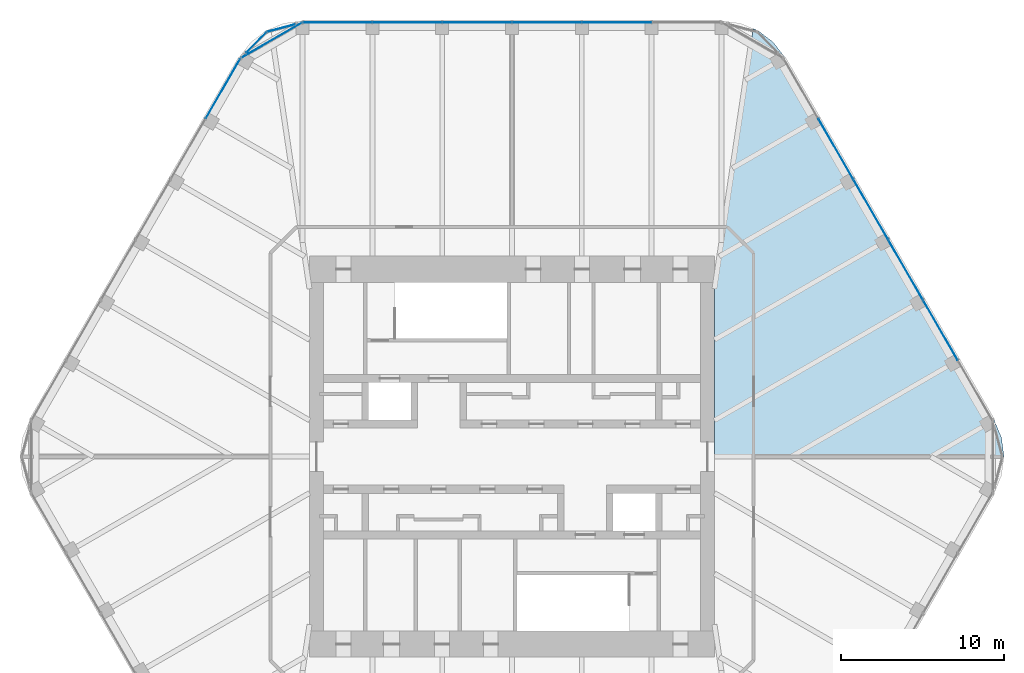
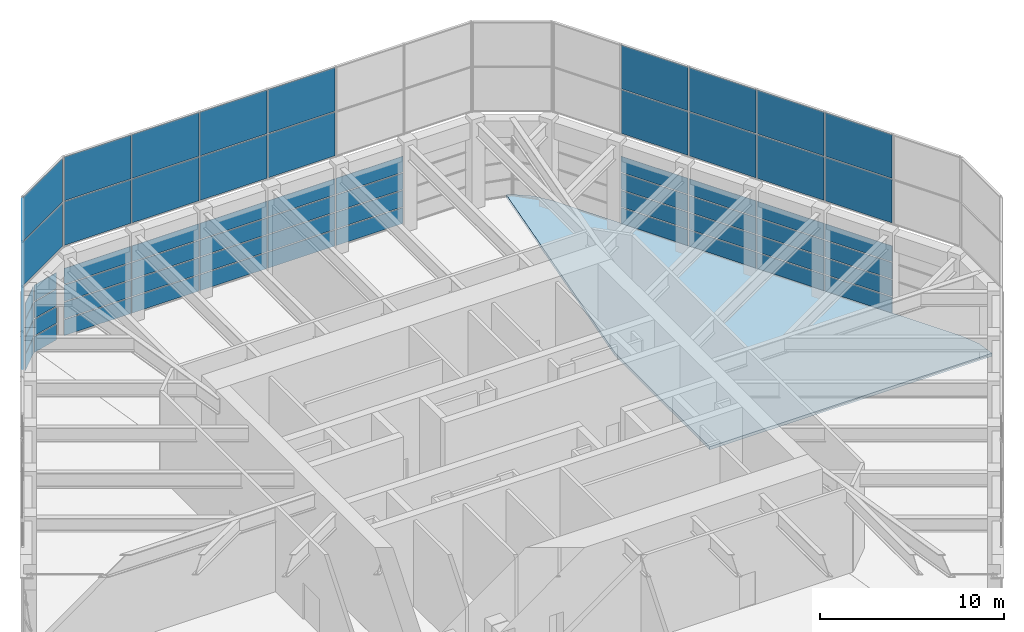
# One storey, part 13 of 17: 65 plates, 1 slab, 9 elements without a shape of their own.
"""IFC4 building model written with IfcOpenShell, lengths in metres."""

from ifc_helpers import new_model, si_unit, direction, frame, origin, origin_2d, place, context, subcontext, project, spatial, polyline, rectangle, outline, extrude, material, layer, layer_set, type_object, element, aggregate, save


model = new_model("IFC4")

# Units and contexts
model_context = context("Model", 3, precision=1e-05, world=origin(), true_north=direction((0.0, 1.0)))
body_context = subcontext(model_context, "Body", "Model", "MODEL_VIEW")
ifc_project = project(units=[si_unit("LENGTHUNIT", "METRE"), si_unit("AREAUNIT", "SQUARE_METRE"), si_unit("VOLUMEUNIT", "CUBIC_METRE"), si_unit("PLANEANGLEUNIT", "RADIAN"), si_unit("MASSUNIT", "GRAM", prefix="KILO")], contexts=[model_context])

# Site, building, storey
site_placement = place(None, origin())
site = spatial("IfcSite", under=ifc_project, at=site_placement, CompositionType="ELEMENT")
building_placement = place(site_placement, origin())
building = spatial("IfcBuilding", under=site, at=building_placement, Name="Tarfa Lantern Tower", CompositionType="ELEMENT")
storey_placement = place(building_placement, frame((0.0, 0.0, 402.300048828125)))
storey = spatial("IfcBuildingStorey", under=building, at=storey_placement, Name="L91", CompositionType="ELEMENT", Elevation=402.300048828125)

# Curtain wall, plates
ifc_material_1 = material(Name="Aluminium framed curtain wall", Category="aluminium")
curtain_wall_type_1 = type_object("IfcCurtainWallType", Name="CW8 LANTERN GLAZING 4600", PredefinedType="USERDEFINED", material=ifc_material_1)
curtain_wall_1_placement = place(storey_placement, origin())
curtain_wall_1 = element("IfcCurtainWall", 1, at=curtain_wall_1_placement, inside=storey, type_object=curtain_wall_type_1, Name="CW8 NNW1 L91", ObjectType="CURTAIN WALL", PredefinedType="USERDEFINED")
ifc_material_2 = material(Name="Laminated double glazing", Category="glass")
ifc_layer_1 = layer(ifc_material_2, 0.028076171875)
ifc_layer_set_1 = layer_set([ifc_layer_1], Name="CWP1 DOUBLE GLAZED PANEL")
plate_type = type_object("IfcPlateType", Name="CWP1 DOUBLE GLAZED PANEL", PredefinedType="CURTAIN_PANEL", material=ifc_layer_set_1)
plate_1_placement = place(storey_placement, frame((-14.158935546875, 26.298095703125, 0.06494140625), z_axis=(0.0, 0.0, 1.0), x_axis=(-0.965925850804, -0.258818953611, 0.0)))
plate_1 = element("IfcPlate", 2, at=plate_1_placement, type_object=plate_type, Name="CW8 panel 1.1", PredefinedType="CURTAIN_PANEL", context=body_context, shape_type="SweptSolid", body=[
    extrude(rectangle(XDim=1.706787109375, YDim=0.028076171875, at=origin_2d()), origin(), (0.0, 0.0, 1.0), 1.052490234375),
])
plate_2_placement = place(storey_placement, frame((-14.158935546875, 26.298095703125, 1.182373046875), z_axis=(0.0, 0.0, 1.0), x_axis=(-0.965925850804, -0.258818953611, 0.0)))
plate_2 = element("IfcPlate", 3, at=plate_2_placement, type_object=plate_type, Name="CW8 panel 1.2", PredefinedType="CURTAIN_PANEL", context=body_context, shape_type="SweptSolid", body=[
    extrude(rectangle(XDim=1.706787109375, YDim=0.028076171875, at=origin_2d()), origin(), (0.0, 0.0, 1.0), 1.0849609375),
])
plate_3_placement = place(storey_placement, frame((-14.158935546875, 26.298095703125, 2.33251953125), z_axis=(0.0, 0.0, 1.0), x_axis=(-0.965925850804, -0.258818953611, 0.0)))
plate_3 = element("IfcPlate", 4, at=plate_3_placement, type_object=plate_type, Name="CW8 panel 1.3", PredefinedType="CURTAIN_PANEL", context=body_context, shape_type="SweptSolid", body=[
    extrude(rectangle(XDim=1.706787109375, YDim=0.028076171875, at=origin_2d()), origin(), (0.0, 0.0, 1.0), 1.0849609375),
])
plate_4_placement = place(storey_placement, frame((-14.158935546875, 26.298095703125, 3.482421875), z_axis=(0.0, 0.0, 1.0), x_axis=(-0.965925850804, -0.258818953611, 0.0)))
plate_4 = element("IfcPlate", 5, at=plate_4_placement, type_object=plate_type, Name="CW8 panel 1.4", PredefinedType="CURTAIN_PANEL", context=body_context, shape_type="SweptSolid", body=[
    extrude(rectangle(XDim=1.706787109375, YDim=0.028076171875, at=origin_2d()), origin(), (0.0, 0.0, 1.0), 1.052490234375),
])
aggregate(curtain_wall_1, [plate_1, plate_2, plate_3, plate_4])

curtain_wall_2_placement = place(storey_placement, origin())
curtain_wall_2 = element("IfcCurtainWall", 6, at=curtain_wall_2_placement, inside=storey, type_object=curtain_wall_type_1, Name="CW8 NNW2 L91", ObjectType="CURTAIN WALL", PredefinedType="USERDEFINED")
plate_5_placement = place(storey_placement, frame((-15.6953125, 25.4111328125, 0.06494140625), z_axis=(0.0, 0.0, 1.0), x_axis=(-0.707106781187, -0.707106781187, 0.0)))
plate_5 = element("IfcPlate", 7, at=plate_5_placement, type_object=plate_type, Name="CW8 panel 1.1", PredefinedType="CURTAIN_PANEL", context=body_context, shape_type="SweptSolid", body=[
    extrude(rectangle(XDim=1.706787109375, YDim=0.028076171875, at=origin_2d()), origin(), (0.0, 0.0, 1.0), 1.052490234375),
])
plate_6_placement = place(storey_placement, frame((-15.6953125, 25.4111328125, 1.182373046875), z_axis=(0.0, 0.0, 1.0), x_axis=(-0.707106781187, -0.707106781187, 0.0)))
plate_6 = element("IfcPlate", 8, at=plate_6_placement, type_object=plate_type, Name="CW8 panel 1.2", PredefinedType="CURTAIN_PANEL", context=body_context, shape_type="SweptSolid", body=[
    extrude(rectangle(XDim=1.706787109375, YDim=0.028076171875, at=origin_2d()), origin(), (0.0, 0.0, 1.0), 1.0849609375),
])
plate_7_placement = place(storey_placement, frame((-15.6953125, 25.4111328125, 2.33251953125), z_axis=(0.0, 0.0, 1.0), x_axis=(-0.707106781187, -0.707106781187, 0.0)))
plate_7 = element("IfcPlate", 9, at=plate_7_placement, type_object=plate_type, Name="CW8 panel 1.3", PredefinedType="CURTAIN_PANEL", context=body_context, shape_type="SweptSolid", body=[
    extrude(rectangle(XDim=1.706787109375, YDim=0.028076171875, at=origin_2d()), origin(), (0.0, 0.0, 1.0), 1.0849609375),
])
plate_8_placement = place(storey_placement, frame((-15.6953125, 25.4111328125, 3.482421875), z_axis=(0.0, 0.0, 1.0), x_axis=(-0.707106781187, -0.707106781187, 0.0)))
plate_8 = element("IfcPlate", 10, at=plate_8_placement, type_object=plate_type, Name="CW8 panel 1.4", PredefinedType="CURTAIN_PANEL", context=body_context, shape_type="SweptSolid", body=[
    extrude(rectangle(XDim=1.706787109375, YDim=0.028076171875, at=origin_2d()), origin(), (0.0, 0.0, 1.0), 1.052490234375),
])
aggregate(curtain_wall_2, [plate_5, plate_6, plate_7, plate_8])

curtain_wall_3_placement = place(storey_placement, origin())
curtain_wall_3 = element("IfcCurtainWall", 11, at=curtain_wall_3_placement, inside=storey, type_object=curtain_wall_type_1, Name="CW8 NE L91", ObjectType="CURTAIN WALL", PredefinedType="USERDEFINED")
plate_9_placement = place(storey_placement, frame((26.291015625, 7.762451171875, 0.06494140625), z_axis=(0.0, 0.0, 1.0), x_axis=(-0.5, 0.866025403784, 0.0)))
plate_9 = element("IfcPlate", 12, at=plate_9_placement, type_object=plate_type, Name="CW8 panel 2.1", PredefinedType="CURTAIN_PANEL", context=body_context, shape_type="SweptSolid", body=[
    extrude(rectangle(XDim=4.217041015625, YDim=0.028076171875, at=origin_2d()), origin(), (0.0, 0.0, 1.0), 1.052490234375),
])
plate_10_placement = place(storey_placement, frame((26.291015625, 7.762451171875, 1.182373046875), z_axis=(0.0, 0.0, 1.0), x_axis=(-0.5, 0.866025403784, 0.0)))
plate_10 = element("IfcPlate", 13, at=plate_10_placement, type_object=plate_type, Name="CW8 panel 2.2", PredefinedType="CURTAIN_PANEL", context=body_context, shape_type="SweptSolid", body=[
    extrude(rectangle(XDim=4.217041015625, YDim=0.028076171875, at=origin_2d()), origin(), (0.0, 0.0, 1.0), 1.0849609375),
])
plate_11_placement = place(storey_placement, frame((26.291015625, 7.762451171875, 2.33251953125), z_axis=(0.0, 0.0, 1.0), x_axis=(-0.5, 0.866025403784, 0.0)))
plate_11 = element("IfcPlate", 14, at=plate_11_placement, type_object=plate_type, Name="CW8 panel 2.3", PredefinedType="CURTAIN_PANEL", context=body_context, shape_type="SweptSolid", body=[
    extrude(rectangle(XDim=4.217041015625, YDim=0.028076171875, at=origin_2d()), origin(), (0.0, 0.0, 1.0), 1.0849609375),
])
plate_12_placement = place(storey_placement, frame((26.291015625, 7.762451171875, 3.482421875), z_axis=(0.0, 0.0, 1.0), x_axis=(-0.5, 0.866025403784, 0.0)))
plate_12 = element("IfcPlate", 15, at=plate_12_placement, type_object=plate_type, Name="CW8 panel 2.4", PredefinedType="CURTAIN_PANEL", context=body_context, shape_type="SweptSolid", body=[
    extrude(rectangle(XDim=4.217041015625, YDim=0.028076171875, at=origin_2d()), origin(), (0.0, 0.0, 1.0), 1.052490234375),
])
plate_13_placement = place(storey_placement, frame((24.150146484375, 11.470947265625, 0.06494140625), z_axis=(0.0, 0.0, 1.0), x_axis=(-0.5, 0.866025403784, 0.0)))
plate_13 = element("IfcPlate", 16, at=plate_13_placement, type_object=plate_type, Name="CW8 panel 3.1", PredefinedType="CURTAIN_PANEL", context=body_context, shape_type="SweptSolid", body=[
    extrude(rectangle(XDim=4.217041015625, YDim=0.028076171875, at=origin_2d()), origin(), (0.0, 0.0, 1.0), 1.052490234375),
])
plate_14_placement = place(storey_placement, frame((24.150146484375, 11.470947265625, 1.182373046875), z_axis=(0.0, 0.0, 1.0), x_axis=(-0.5, 0.866025403784, 0.0)))
plate_14 = element("IfcPlate", 17, at=plate_14_placement, type_object=plate_type, Name="CW8 panel 3.2", PredefinedType="CURTAIN_PANEL", context=body_context, shape_type="SweptSolid", body=[
    extrude(rectangle(XDim=4.217041015625, YDim=0.028076171875, at=origin_2d()), origin(), (0.0, 0.0, 1.0), 1.0849609375),
])
plate_15_placement = place(storey_placement, frame((24.150146484375, 11.470947265625, 2.33251953125), z_axis=(0.0, 0.0, 1.0), x_axis=(-0.5, 0.866025403784, 0.0)))
plate_15 = element("IfcPlate", 18, at=plate_15_placement, type_object=plate_type, Name="CW8 panel 3.3", PredefinedType="CURTAIN_PANEL", context=body_context, shape_type="SweptSolid", body=[
    extrude(rectangle(XDim=4.217041015625, YDim=0.028076171875, at=origin_2d()), origin(), (0.0, 0.0, 1.0), 1.0849609375),
])
plate_16_placement = place(storey_placement, frame((24.150146484375, 11.470947265625, 3.482421875), z_axis=(0.0, 0.0, 1.0), x_axis=(-0.5, 0.866025403784, 0.0)))
plate_16 = element("IfcPlate", 19, at=plate_16_placement, type_object=plate_type, Name="CW8 panel 3.4", PredefinedType="CURTAIN_PANEL", context=body_context, shape_type="SweptSolid", body=[
    extrude(rectangle(XDim=4.217041015625, YDim=0.028076171875, at=origin_2d()), origin(), (0.0, 0.0, 1.0), 1.052490234375),
])
plate_17_placement = place(storey_placement, frame((22.009033203125, 15.17919921875, 0.06494140625), z_axis=(0.0, 0.0, 1.0), x_axis=(-0.5, 0.866025403784, 0.0)))
plate_17 = element("IfcPlate", 20, at=plate_17_placement, type_object=plate_type, Name="CW8 panel 4.1", PredefinedType="CURTAIN_PANEL", context=body_context, shape_type="SweptSolid", body=[
    extrude(rectangle(XDim=4.217041015625, YDim=0.028076171875, at=origin_2d()), origin(), (0.0, 0.0, 1.0), 1.052490234375),
])
plate_18_placement = place(storey_placement, frame((22.009033203125, 15.17919921875, 1.182373046875), z_axis=(0.0, 0.0, 1.0), x_axis=(-0.5, 0.866025403784, 0.0)))
plate_18 = element("IfcPlate", 21, at=plate_18_placement, type_object=plate_type, Name="CW8 panel 4.2", PredefinedType="CURTAIN_PANEL", context=body_context, shape_type="SweptSolid", body=[
    extrude(rectangle(XDim=4.217041015625, YDim=0.028076171875, at=origin_2d()), origin(), (0.0, 0.0, 1.0), 1.0849609375),
])
plate_19_placement = place(storey_placement, frame((22.009033203125, 15.17919921875, 2.33251953125), z_axis=(0.0, 0.0, 1.0), x_axis=(-0.5, 0.866025403784, 0.0)))
plate_19 = element("IfcPlate", 22, at=plate_19_placement, type_object=plate_type, Name="CW8 panel 4.3", PredefinedType="CURTAIN_PANEL", context=body_context, shape_type="SweptSolid", body=[
    extrude(rectangle(XDim=4.217041015625, YDim=0.028076171875, at=origin_2d()), origin(), (0.0, 0.0, 1.0), 1.0849609375),
])
plate_20_placement = place(storey_placement, frame((22.009033203125, 15.17919921875, 3.482421875), z_axis=(0.0, 0.0, 1.0), x_axis=(-0.5, 0.866025403784, 0.0)))
plate_20 = element("IfcPlate", 23, at=plate_20_placement, type_object=plate_type, Name="CW8 panel 4.4", PredefinedType="CURTAIN_PANEL", context=body_context, shape_type="SweptSolid", body=[
    extrude(rectangle(XDim=4.217041015625, YDim=0.028076171875, at=origin_2d()), origin(), (0.0, 0.0, 1.0), 1.052490234375),
])
plate_21_placement = place(storey_placement, frame((19.8681640625, 18.887451171875, 0.06494140625), z_axis=(0.0, 0.0, 1.0), x_axis=(-0.5, 0.866025403784, 0.0)))
plate_21 = element("IfcPlate", 24, at=plate_21_placement, type_object=plate_type, Name="CW8 panel 5.1", PredefinedType="CURTAIN_PANEL", context=body_context, shape_type="SweptSolid", body=[
    extrude(rectangle(XDim=4.217041015625, YDim=0.028076171875, at=origin_2d()), origin(), (0.0, 0.0, 1.0), 1.052490234375),
])
plate_22_placement = place(storey_placement, frame((19.8681640625, 18.887451171875, 1.182373046875), z_axis=(0.0, 0.0, 1.0), x_axis=(-0.5, 0.866025403784, 0.0)))
plate_22 = element("IfcPlate", 25, at=plate_22_placement, type_object=plate_type, Name="CW8 panel 5.2", PredefinedType="CURTAIN_PANEL", context=body_context, shape_type="SweptSolid", body=[
    extrude(rectangle(XDim=4.217041015625, YDim=0.028076171875, at=origin_2d()), origin(), (0.0, 0.0, 1.0), 1.0849609375),
])
plate_23_placement = place(storey_placement, frame((19.8681640625, 18.887451171875, 2.33251953125), z_axis=(0.0, 0.0, 1.0), x_axis=(-0.5, 0.866025403784, 0.0)))
plate_23 = element("IfcPlate", 26, at=plate_23_placement, type_object=plate_type, Name="CW8 panel 5.3", PredefinedType="CURTAIN_PANEL", context=body_context, shape_type="SweptSolid", body=[
    extrude(rectangle(XDim=4.217041015625, YDim=0.028076171875, at=origin_2d()), origin(), (0.0, 0.0, 1.0), 1.0849609375),
])
plate_24_placement = place(storey_placement, frame((19.8681640625, 18.887451171875, 3.482421875), z_axis=(0.0, 0.0, 1.0), x_axis=(-0.5, 0.866025403784, 0.0)))
plate_24 = element("IfcPlate", 27, at=plate_24_placement, type_object=plate_type, Name="CW8 panel 5.4", PredefinedType="CURTAIN_PANEL", context=body_context, shape_type="SweptSolid", body=[
    extrude(rectangle(XDim=4.217041015625, YDim=0.028076171875, at=origin_2d()), origin(), (0.0, 0.0, 1.0), 1.052490234375),
])
aggregate(curtain_wall_3, [plate_9, plate_10, plate_11, plate_12, plate_13, plate_14, plate_15, plate_16, plate_17, plate_18, plate_19, plate_20, plate_21, plate_22, plate_23, plate_24])

curtain_wall_4_placement = place(storey_placement, origin())
curtain_wall_4 = element("IfcCurtainWall", 28, at=curtain_wall_4_placement, inside=storey, type_object=curtain_wall_type_1, Name="CW8 N L91", ObjectType="CURTAIN WALL", PredefinedType="USERDEFINED")
plate_25_placement = place(storey_placement, frame((6.423095703125, 26.64990234375, 0.06494140625), z_axis=(0.0, 0.0, 1.0), x_axis=(-1.0, 0.0, 0.0)))
plate_25 = element("IfcPlate", 29, at=plate_25_placement, type_object=plate_type, Name="CW8 panel 2.1", PredefinedType="CURTAIN_PANEL", context=body_context, shape_type="SweptSolid", body=[
    extrude(rectangle(XDim=4.217041015625, YDim=0.028076171875, at=origin_2d()), origin(), (0.0, 0.0, 1.0), 1.052490234375),
])
plate_26_placement = place(storey_placement, frame((6.423095703125, 26.64990234375, 1.182373046875), z_axis=(0.0, 0.0, 1.0), x_axis=(-1.0, 0.0, 0.0)))
plate_26 = element("IfcPlate", 30, at=plate_26_placement, type_object=plate_type, Name="CW8 panel 2.2", PredefinedType="CURTAIN_PANEL", context=body_context, shape_type="SweptSolid", body=[
    extrude(rectangle(XDim=4.217041015625, YDim=0.028076171875, at=origin_2d()), origin(), (0.0, 0.0, 1.0), 1.0849609375),
])
plate_27_placement = place(storey_placement, frame((6.423095703125, 26.64990234375, 2.33251953125), z_axis=(0.0, 0.0, 1.0), x_axis=(-1.0, 0.0, 0.0)))
plate_27 = element("IfcPlate", 31, at=plate_27_placement, type_object=plate_type, Name="CW8 panel 2.3", PredefinedType="CURTAIN_PANEL", context=body_context, shape_type="SweptSolid", body=[
    extrude(rectangle(XDim=4.217041015625, YDim=0.028076171875, at=origin_2d()), origin(), (0.0, 0.0, 1.0), 1.0849609375),
])
plate_28_placement = place(storey_placement, frame((6.423095703125, 26.64990234375, 3.482421875), z_axis=(0.0, 0.0, 1.0), x_axis=(-1.0, 0.0, 0.0)))
plate_28 = element("IfcPlate", 32, at=plate_28_placement, type_object=plate_type, Name="CW8 panel 2.4", PredefinedType="CURTAIN_PANEL", context=body_context, shape_type="SweptSolid", body=[
    extrude(rectangle(XDim=4.217041015625, YDim=0.028076171875, at=origin_2d()), origin(), (0.0, 0.0, 1.0), 1.052490234375),
])
plate_29_placement = place(storey_placement, frame((2.14111328125, 26.64990234375, 0.06494140625), z_axis=(0.0, 0.0, 1.0), x_axis=(-1.0, 0.0, 0.0)))
plate_29 = element("IfcPlate", 33, at=plate_29_placement, type_object=plate_type, Name="CW8 panel 3.1", PredefinedType="CURTAIN_PANEL", context=body_context, shape_type="SweptSolid", body=[
    extrude(rectangle(XDim=4.217041015625, YDim=0.028076171875, at=origin_2d()), origin(), (0.0, 0.0, 1.0), 1.052490234375),
])
plate_30_placement = place(storey_placement, frame((2.14111328125, 26.64990234375, 1.182373046875), z_axis=(0.0, 0.0, 1.0), x_axis=(-1.0, 0.0, 0.0)))
plate_30 = element("IfcPlate", 34, at=plate_30_placement, type_object=plate_type, Name="CW8 panel 3.2", PredefinedType="CURTAIN_PANEL", context=body_context, shape_type="SweptSolid", body=[
    extrude(rectangle(XDim=4.217041015625, YDim=0.028076171875, at=origin_2d()), origin(), (0.0, 0.0, 1.0), 1.0849609375),
])
plate_31_placement = place(storey_placement, frame((2.14111328125, 26.64990234375, 2.33251953125), z_axis=(0.0, 0.0, 1.0), x_axis=(-1.0, 0.0, 0.0)))
plate_31 = element("IfcPlate", 35, at=plate_31_placement, type_object=plate_type, Name="CW8 panel 3.3", PredefinedType="CURTAIN_PANEL", context=body_context, shape_type="SweptSolid", body=[
    extrude(rectangle(XDim=4.217041015625, YDim=0.028076171875, at=origin_2d()), origin(), (0.0, 0.0, 1.0), 1.0849609375),
])
plate_32_placement = place(storey_placement, frame((2.14111328125, 26.64990234375, 3.482421875), z_axis=(0.0, 0.0, 1.0), x_axis=(-1.0, 0.0, 0.0)))
plate_32 = element("IfcPlate", 36, at=plate_32_placement, type_object=plate_type, Name="CW8 panel 3.4", PredefinedType="CURTAIN_PANEL", context=body_context, shape_type="SweptSolid", body=[
    extrude(rectangle(XDim=4.217041015625, YDim=0.028076171875, at=origin_2d()), origin(), (0.0, 0.0, 1.0), 1.052490234375),
])
plate_33_placement = place(storey_placement, frame((-2.14111328125, 26.64990234375, 0.06494140625), z_axis=(0.0, 0.0, 1.0), x_axis=(-1.0, 0.0, 0.0)))
plate_33 = element("IfcPlate", 37, at=plate_33_placement, type_object=plate_type, Name="CW8 panel 4.1", PredefinedType="CURTAIN_PANEL", context=body_context, shape_type="SweptSolid", body=[
    extrude(rectangle(XDim=4.217041015625, YDim=0.028076171875, at=origin_2d()), origin(), (0.0, 0.0, 1.0), 1.052490234375),
])
plate_34_placement = place(storey_placement, frame((-2.14111328125, 26.64990234375, 1.182373046875), z_axis=(0.0, 0.0, 1.0), x_axis=(-1.0, 0.0, 0.0)))
plate_34 = element("IfcPlate", 38, at=plate_34_placement, type_object=plate_type, Name="CW8 panel 4.2", PredefinedType="CURTAIN_PANEL", context=body_context, shape_type="SweptSolid", body=[
    extrude(rectangle(XDim=4.217041015625, YDim=0.028076171875, at=origin_2d()), origin(), (0.0, 0.0, 1.0), 1.0849609375),
])
plate_35_placement = place(storey_placement, frame((-2.14111328125, 26.64990234375, 2.33251953125), z_axis=(0.0, 0.0, 1.0), x_axis=(-1.0, 0.0, 0.0)))
plate_35 = element("IfcPlate", 39, at=plate_35_placement, type_object=plate_type, Name="CW8 panel 4.3", PredefinedType="CURTAIN_PANEL", context=body_context, shape_type="SweptSolid", body=[
    extrude(rectangle(XDim=4.217041015625, YDim=0.028076171875, at=origin_2d()), origin(), (0.0, 0.0, 1.0), 1.0849609375),
])
plate_36_placement = place(storey_placement, frame((-2.14111328125, 26.64990234375, 3.482421875), z_axis=(0.0, 0.0, 1.0), x_axis=(-1.0, 0.0, 0.0)))
plate_36 = element("IfcPlate", 40, at=plate_36_placement, type_object=plate_type, Name="CW8 panel 4.4", PredefinedType="CURTAIN_PANEL", context=body_context, shape_type="SweptSolid", body=[
    extrude(rectangle(XDim=4.217041015625, YDim=0.028076171875, at=origin_2d()), origin(), (0.0, 0.0, 1.0), 1.052490234375),
])
plate_37_placement = place(storey_placement, frame((-6.423095703125, 26.64990234375, 0.06494140625), z_axis=(0.0, 0.0, 1.0), x_axis=(-1.0, 0.0, 0.0)))
plate_37 = element("IfcPlate", 41, at=plate_37_placement, type_object=plate_type, Name="CW8 panel 5.1", PredefinedType="CURTAIN_PANEL", context=body_context, shape_type="SweptSolid", body=[
    extrude(rectangle(XDim=4.217041015625, YDim=0.028076171875, at=origin_2d()), origin(), (0.0, 0.0, 1.0), 1.052490234375),
])
plate_38_placement = place(storey_placement, frame((-6.423095703125, 26.64990234375, 1.182373046875), z_axis=(0.0, 0.0, 1.0), x_axis=(-1.0, 0.0, 0.0)))
plate_38 = element("IfcPlate", 42, at=plate_38_placement, type_object=plate_type, Name="CW8 panel 5.2", PredefinedType="CURTAIN_PANEL", context=body_context, shape_type="SweptSolid", body=[
    extrude(rectangle(XDim=4.217041015625, YDim=0.028076171875, at=origin_2d()), origin(), (0.0, 0.0, 1.0), 1.0849609375),
])
plate_39_placement = place(storey_placement, frame((-6.423095703125, 26.64990234375, 2.33251953125), z_axis=(0.0, 0.0, 1.0), x_axis=(-1.0, 0.0, 0.0)))
plate_39 = element("IfcPlate", 43, at=plate_39_placement, type_object=plate_type, Name="CW8 panel 5.3", PredefinedType="CURTAIN_PANEL", context=body_context, shape_type="SweptSolid", body=[
    extrude(rectangle(XDim=4.217041015625, YDim=0.028076171875, at=origin_2d()), origin(), (0.0, 0.0, 1.0), 1.0849609375),
])
plate_40_placement = place(storey_placement, frame((-6.423095703125, 26.64990234375, 3.482421875), z_axis=(0.0, 0.0, 1.0), x_axis=(-1.0, 0.0, 0.0)))
plate_40 = element("IfcPlate", 44, at=plate_40_placement, type_object=plate_type, Name="CW8 panel 5.4", PredefinedType="CURTAIN_PANEL", context=body_context, shape_type="SweptSolid", body=[
    extrude(rectangle(XDim=4.217041015625, YDim=0.028076171875, at=origin_2d()), origin(), (0.0, 0.0, 1.0), 1.052490234375),
])
plate_41_placement = place(storey_placement, frame((-10.688720703125, 26.64990234375, 0.06494140625), z_axis=(0.0, 0.0, 1.0), x_axis=(-1.0, 0.0, 0.0)))
plate_41 = element("IfcPlate", 45, at=plate_41_placement, type_object=plate_type, Name="CW8 panel 6.1", PredefinedType="CURTAIN_PANEL", context=body_context, shape_type="SweptSolid", body=[
    extrude(rectangle(XDim=4.1845703125, YDim=0.028076171875, at=origin_2d()), origin(), (0.0, 0.0, 1.0), 1.052490234375),
])
plate_42_placement = place(storey_placement, frame((-10.688720703125, 26.64990234375, 1.182373046875), z_axis=(0.0, 0.0, 1.0), x_axis=(-1.0, 0.0, 0.0)))
plate_42 = element("IfcPlate", 46, at=plate_42_placement, type_object=plate_type, Name="CW8 panel 6.2", PredefinedType="CURTAIN_PANEL", context=body_context, shape_type="SweptSolid", body=[
    extrude(rectangle(XDim=4.1845703125, YDim=0.028076171875, at=origin_2d()), origin(), (0.0, 0.0, 1.0), 1.0849609375),
])
plate_43_placement = place(storey_placement, frame((-10.688720703125, 26.64990234375, 2.33251953125), z_axis=(0.0, 0.0, 1.0), x_axis=(-1.0, 0.0, 0.0)))
plate_43 = element("IfcPlate", 47, at=plate_43_placement, type_object=plate_type, Name="CW8 panel 6.3", PredefinedType="CURTAIN_PANEL", context=body_context, shape_type="SweptSolid", body=[
    extrude(rectangle(XDim=4.1845703125, YDim=0.028076171875, at=origin_2d()), origin(), (0.0, 0.0, 1.0), 1.0849609375),
])
plate_44_placement = place(storey_placement, frame((-10.688720703125, 26.64990234375, 3.482421875), z_axis=(0.0, 0.0, 1.0), x_axis=(-1.0, 0.0, 0.0)))
plate_44 = element("IfcPlate", 48, at=plate_44_placement, type_object=plate_type, Name="CW8 panel 6.4", PredefinedType="CURTAIN_PANEL", context=body_context, shape_type="SweptSolid", body=[
    extrude(rectangle(XDim=4.1845703125, YDim=0.028076171875, at=origin_2d()), origin(), (0.0, 0.0, 1.0), 1.052490234375),
])
aggregate(curtain_wall_4, [plate_25, plate_26, plate_27, plate_28, plate_29, plate_30, plate_31, plate_32, plate_33, plate_34, plate_35, plate_36, plate_37, plate_38, plate_39, plate_40, plate_41, plate_42, plate_43, plate_44])

# Curtain wall, plate
curtain_wall_5_placement = place(storey_placement, origin())
curtain_wall_5 = element("IfcCurtainWall", 49, at=curtain_wall_5_placement, inside=storey, type_object=curtain_wall_type_1, Name="CW8 NW L91", ObjectType="CURTAIN WALL", PredefinedType="USERDEFINED")
plate_45_placement = place(storey_placement, frame((-17.735107421875, 22.581787109375, 3.482421875), z_axis=(0.0, 0.0, 1.0), x_axis=(-0.5, -0.866025403784, 0.0)))
plate_45 = element("IfcPlate", 50, at=plate_45_placement, type_object=plate_type, Name="CW8 panel 1.4", PredefinedType="CURTAIN_PANEL", context=body_context, shape_type="SweptSolid", body=[
    extrude(rectangle(XDim=4.1845703125, YDim=0.028076171875, at=origin_2d()), origin(), (0.0, 0.0, 1.0), 1.052490234375),
])
aggregate(curtain_wall_5, [plate_45])

# Curtain wall, plates
curtain_wall_type_2 = type_object("IfcCurtainWallType", Name="CW9 CROWN SCREEN GLAZING 6000", PredefinedType="USERDEFINED", material=ifc_material_1)
curtain_wall_6_placement = place(storey_placement, origin())
curtain_wall_6 = element("IfcCurtainWall", 51, at=curtain_wall_6_placement, inside=storey, type_object=curtain_wall_type_2, Name="CW9 NE L91", ObjectType="CURTAIN WALL", PredefinedType="USERDEFINED")
plate_46_placement = place(storey_placement, frame((26.291015625, 7.762451171875, 6.06494140625), z_axis=(0.0, 0.0, 1.0), x_axis=(-0.5, 0.866025403784, 0.0)))
plate_46 = element("IfcPlate", 52, at=plate_46_placement, type_object=plate_type, Name="CW9 panel 2.1", PredefinedType="CURTAIN_PANEL", context=body_context, shape_type="SweptSolid", body=[
    extrude(rectangle(XDim=4.217041015625, YDim=0.028076171875, at=origin_2d()), origin(), (0.0, 0.0, 1.0), 2.902587890625),
])
plate_47_placement = place(storey_placement, frame((26.291015625, 7.762451171875, 9.0322265625), z_axis=(0.0, 0.0, 1.0), x_axis=(-0.5, 0.866025403784, 0.0)))
plate_47 = element("IfcPlate", 53, at=plate_47_placement, type_object=plate_type, Name="CW9 panel 2.2", PredefinedType="CURTAIN_PANEL", context=body_context, shape_type="SweptSolid", body=[
    extrude(rectangle(XDim=4.217041015625, YDim=0.028076171875, at=origin_2d()), origin(), (0.0, 0.0, 1.0), 2.902587890625),
])
plate_48_placement = place(storey_placement, frame((24.150146484375, 11.470947265625, 6.06494140625), z_axis=(0.0, 0.0, 1.0), x_axis=(-0.5, 0.866025403784, 0.0)))
plate_48 = element("IfcPlate", 54, at=plate_48_placement, type_object=plate_type, Name="CW9 panel 3.1", PredefinedType="CURTAIN_PANEL", context=body_context, shape_type="SweptSolid", body=[
    extrude(rectangle(XDim=4.217041015625, YDim=0.028076171875, at=origin_2d()), origin(), (0.0, 0.0, 1.0), 2.902587890625),
])
plate_49_placement = place(storey_placement, frame((24.150146484375, 11.470947265625, 9.0322265625), z_axis=(0.0, 0.0, 1.0), x_axis=(-0.5, 0.866025403784, 0.0)))
plate_49 = element("IfcPlate", 55, at=plate_49_placement, type_object=plate_type, Name="CW9 panel 3.2", PredefinedType="CURTAIN_PANEL", context=body_context, shape_type="SweptSolid", body=[
    extrude(rectangle(XDim=4.217041015625, YDim=0.028076171875, at=origin_2d()), origin(), (0.0, 0.0, 1.0), 2.902587890625),
])
plate_50_placement = place(storey_placement, frame((22.009033203125, 15.17919921875, 6.06494140625), z_axis=(0.0, 0.0, 1.0), x_axis=(-0.5, 0.866025403784, 0.0)))
plate_50 = element("IfcPlate", 56, at=plate_50_placement, type_object=plate_type, Name="CW9 panel 4.1", PredefinedType="CURTAIN_PANEL", context=body_context, shape_type="SweptSolid", body=[
    extrude(rectangle(XDim=4.217041015625, YDim=0.028076171875, at=origin_2d()), origin(), (0.0, 0.0, 1.0), 2.902587890625),
])
plate_51_placement = place(storey_placement, frame((22.009033203125, 15.17919921875, 9.0322265625), z_axis=(0.0, 0.0, 1.0), x_axis=(-0.5, 0.866025403784, 0.0)))
plate_51 = element("IfcPlate", 57, at=plate_51_placement, type_object=plate_type, Name="CW9 panel 4.2", PredefinedType="CURTAIN_PANEL", context=body_context, shape_type="SweptSolid", body=[
    extrude(rectangle(XDim=4.217041015625, YDim=0.028076171875, at=origin_2d()), origin(), (0.0, 0.0, 1.0), 2.902587890625),
])
plate_52_placement = place(storey_placement, frame((19.8681640625, 18.887451171875, 6.06494140625), z_axis=(0.0, 0.0, 1.0), x_axis=(-0.5, 0.866025403784, 0.0)))
plate_52 = element("IfcPlate", 58, at=plate_52_placement, type_object=plate_type, Name="CW9 panel 5.1", PredefinedType="CURTAIN_PANEL", context=body_context, shape_type="SweptSolid", body=[
    extrude(rectangle(XDim=4.217041015625, YDim=0.028076171875, at=origin_2d()), origin(), (0.0, 0.0, 1.0), 2.902587890625),
])
plate_53_placement = place(storey_placement, frame((19.8681640625, 18.887451171875, 9.0322265625), z_axis=(0.0, 0.0, 1.0), x_axis=(-0.5, 0.866025403784, 0.0)))
plate_53 = element("IfcPlate", 59, at=plate_53_placement, type_object=plate_type, Name="CW9 panel 5.2", PredefinedType="CURTAIN_PANEL", context=body_context, shape_type="SweptSolid", body=[
    extrude(rectangle(XDim=4.217041015625, YDim=0.028076171875, at=origin_2d()), origin(), (0.0, 0.0, 1.0), 2.902587890625),
])
aggregate(curtain_wall_6, [plate_46, plate_47, plate_48, plate_49, plate_50, plate_51, plate_52, plate_53])

curtain_wall_7_placement = place(storey_placement, origin())
curtain_wall_7 = element("IfcCurtainWall", 60, at=curtain_wall_7_placement, inside=storey, type_object=curtain_wall_type_2, Name="CW9 N L91", ObjectType="CURTAIN WALL", PredefinedType="USERDEFINED")
plate_54_placement = place(storey_placement, frame((2.14111328125, 26.64990234375, 6.06494140625), z_axis=(0.0, 0.0, 1.0), x_axis=(-1.0, 0.0, 0.0)))
plate_54 = element("IfcPlate", 61, at=plate_54_placement, type_object=plate_type, Name="CW9 panel 3.1", PredefinedType="CURTAIN_PANEL", context=body_context, shape_type="SweptSolid", body=[
    extrude(rectangle(XDim=4.217041015625, YDim=0.028076171875, at=origin_2d()), origin(), (0.0, 0.0, 1.0), 2.902587890625),
])
plate_55_placement = place(storey_placement, frame((2.14111328125, 26.64990234375, 9.0322265625), z_axis=(0.0, 0.0, 1.0), x_axis=(-1.0, 0.0, 0.0)))
plate_55 = element("IfcPlate", 62, at=plate_55_placement, type_object=plate_type, Name="CW9 panel 3.2", PredefinedType="CURTAIN_PANEL", context=body_context, shape_type="SweptSolid", body=[
    extrude(rectangle(XDim=4.217041015625, YDim=0.028076171875, at=origin_2d()), origin(), (0.0, 0.0, 1.0), 2.902587890625),
])
plate_56_placement = place(storey_placement, frame((-2.14111328125, 26.64990234375, 6.06494140625), z_axis=(0.0, 0.0, 1.0), x_axis=(-1.0, 0.0, 0.0)))
plate_56 = element("IfcPlate", 63, at=plate_56_placement, type_object=plate_type, Name="CW9 panel 4.1", PredefinedType="CURTAIN_PANEL", context=body_context, shape_type="SweptSolid", body=[
    extrude(rectangle(XDim=4.217041015625, YDim=0.028076171875, at=origin_2d()), origin(), (0.0, 0.0, 1.0), 2.902587890625),
])
plate_57_placement = place(storey_placement, frame((-2.14111328125, 26.64990234375, 9.0322265625), z_axis=(0.0, 0.0, 1.0), x_axis=(-1.0, 0.0, 0.0)))
plate_57 = element("IfcPlate", 64, at=plate_57_placement, type_object=plate_type, Name="CW9 panel 4.2", PredefinedType="CURTAIN_PANEL", context=body_context, shape_type="SweptSolid", body=[
    extrude(rectangle(XDim=4.217041015625, YDim=0.028076171875, at=origin_2d()), origin(), (0.0, 0.0, 1.0), 2.902587890625),
])
plate_58_placement = place(storey_placement, frame((-6.423095703125, 26.64990234375, 6.06494140625), z_axis=(0.0, 0.0, 1.0), x_axis=(-1.0, 0.0, 0.0)))
plate_58 = element("IfcPlate", 65, at=plate_58_placement, type_object=plate_type, Name="CW9 panel 5.1", PredefinedType="CURTAIN_PANEL", context=body_context, shape_type="SweptSolid", body=[
    extrude(rectangle(XDim=4.217041015625, YDim=0.028076171875, at=origin_2d()), origin(), (0.0, 0.0, 1.0), 2.902587890625),
])
plate_59_placement = place(storey_placement, frame((-6.423095703125, 26.64990234375, 9.0322265625), z_axis=(0.0, 0.0, 1.0), x_axis=(-1.0, 0.0, 0.0)))
plate_59 = element("IfcPlate", 66, at=plate_59_placement, type_object=plate_type, Name="CW9 panel 5.2", PredefinedType="CURTAIN_PANEL", context=body_context, shape_type="SweptSolid", body=[
    extrude(rectangle(XDim=4.217041015625, YDim=0.028076171875, at=origin_2d()), origin(), (0.0, 0.0, 1.0), 2.902587890625),
])
plate_60_placement = place(storey_placement, frame((-10.688720703125, 26.64990234375, 6.06494140625), z_axis=(0.0, 0.0, 1.0), x_axis=(-1.0, 0.0, 0.0)))
plate_60 = element("IfcPlate", 67, at=plate_60_placement, type_object=plate_type, Name="CW9 panel 6.1", PredefinedType="CURTAIN_PANEL", context=body_context, shape_type="SweptSolid", body=[
    extrude(rectangle(XDim=4.1845703125, YDim=0.028076171875, at=origin_2d()), origin(), (0.0, 0.0, 1.0), 2.902587890625),
])
plate_61_placement = place(storey_placement, frame((-10.688720703125, 26.64990234375, 9.0322265625), z_axis=(0.0, 0.0, 1.0), x_axis=(-1.0, 0.0, 0.0)))
plate_61 = element("IfcPlate", 68, at=plate_61_placement, type_object=plate_type, Name="CW9 panel 6.2", PredefinedType="CURTAIN_PANEL", context=body_context, shape_type="SweptSolid", body=[
    extrude(rectangle(XDim=4.1845703125, YDim=0.028076171875, at=origin_2d()), origin(), (0.0, 0.0, 1.0), 2.902587890625),
])
aggregate(curtain_wall_7, [plate_54, plate_55, plate_56, plate_57, plate_58, plate_59, plate_60, plate_61])

curtain_wall_8_placement = place(storey_placement, origin())
curtain_wall_8 = element("IfcCurtainWall", 69, at=curtain_wall_8_placement, inside=storey, type_object=curtain_wall_type_2, Name="CW9 NW L91", ObjectType="CURTAIN WALL", PredefinedType="USERDEFINED")
plate_62_placement = place(storey_placement, frame((-17.735107421875, 22.581787109375, 6.06494140625), z_axis=(0.0, 0.0, 1.0), x_axis=(-0.5, -0.866025403784, 0.0)))
plate_62 = element("IfcPlate", 70, at=plate_62_placement, type_object=plate_type, Name="CW9 panel 1.1", PredefinedType="CURTAIN_PANEL", context=body_context, shape_type="SweptSolid", body=[
    extrude(rectangle(XDim=4.1845703125, YDim=0.028076171875, at=origin_2d()), origin(), (0.0, 0.0, 1.0), 2.902587890625),
])
plate_63_placement = place(storey_placement, frame((-17.735107421875, 22.581787109375, 9.0322265625), z_axis=(0.0, 0.0, 1.0), x_axis=(-0.5, -0.866025403784, 0.0)))
plate_63 = element("IfcPlate", 71, at=plate_63_placement, type_object=plate_type, Name="CW9 panel 1.2", PredefinedType="CURTAIN_PANEL", context=body_context, shape_type="SweptSolid", body=[
    extrude(rectangle(XDim=4.1845703125, YDim=0.028076171875, at=origin_2d()), origin(), (0.0, 0.0, 1.0), 2.902587890625),
])
aggregate(curtain_wall_8, [plate_62, plate_63])

curtain_wall_9_placement = place(storey_placement, origin())
curtain_wall_9 = element("IfcCurtainWall", 72, at=curtain_wall_9_placement, inside=storey, type_object=curtain_wall_type_2, Name="CW9 NNW L91", ObjectType="CURTAIN WALL", PredefinedType="USERDEFINED")
plate_64_placement = place(storey_placement, frame((-14.751220703125, 25.550048828125, 6.06494140625), z_axis=(0.0, 0.0, 1.0), x_axis=(-0.866025403784, -0.5, 0.0)))
plate_64 = element("IfcPlate", 73, at=plate_64_placement, type_object=plate_type, Name="CW9 panel 1.1", PredefinedType="CURTAIN_PANEL", context=body_context, shape_type="SweptSolid", body=[
    extrude(rectangle(XDim=4.27001953125, YDim=0.028076171875, at=origin_2d()), origin(), (0.0, 0.0, 1.0), 2.902587890625),
])
plate_65_placement = place(storey_placement, frame((-14.751220703125, 25.550048828125, 9.0322265625), z_axis=(0.0, 0.0, 1.0), x_axis=(-0.866025403784, -0.5, 0.0)))
plate_65 = element("IfcPlate", 74, at=plate_65_placement, type_object=plate_type, Name="CW9 panel 1.2", PredefinedType="CURTAIN_PANEL", context=body_context, shape_type="SweptSolid", body=[
    extrude(rectangle(XDim=4.27001953125, YDim=0.028076171875, at=origin_2d()), origin(), (0.0, 0.0, 1.0), 2.902587890625),
])
aggregate(curtain_wall_9, [plate_64, plate_65])

# Slab
ifc_material_3 = material(Name="Concrete C40/50", Category="concrete")
ifc_layer_2 = layer(ifc_material_3, 0.199951171875)
ifc_layer_set_2 = layer_set([ifc_layer_2], Name="FS1 FLOOR SLAB 200")
slab_type = type_object("IfcSlabType", Name="FS1 FLOOR SLAB 200", PredefinedType="FLOOR", material=ifc_layer_set_2)
slab_placement = place(storey_placement, frame((0.0, 0.0, -0.199951171875)))
element("IfcSlab", 75, at=slab_placement, inside=storey, type_object=slab_type, Name="Floor slab L91 NE bay", PredefinedType="FLOOR", context=body_context, shape_type="SweptSolid", body=[
    extrude(outline(polyline([(29.58740234375, 2.2490234375), (16.741455078125, 24.498779296875), (16.026611328125, 25.4306640625), (15.094970703125, 26.145263671875), (14.802001953125, 26.2666015625), (12.427001953125, 10.2998046875), (12.427001953125, 0.001953125), (30.189697265625, 0.001953125), (30.036865234375, 1.1640625), (29.58740234375, 2.2490234375)])), origin(), (0.0, 0.0, 1.0), 0.199951171875),
])

save(model, "model.ifc")
